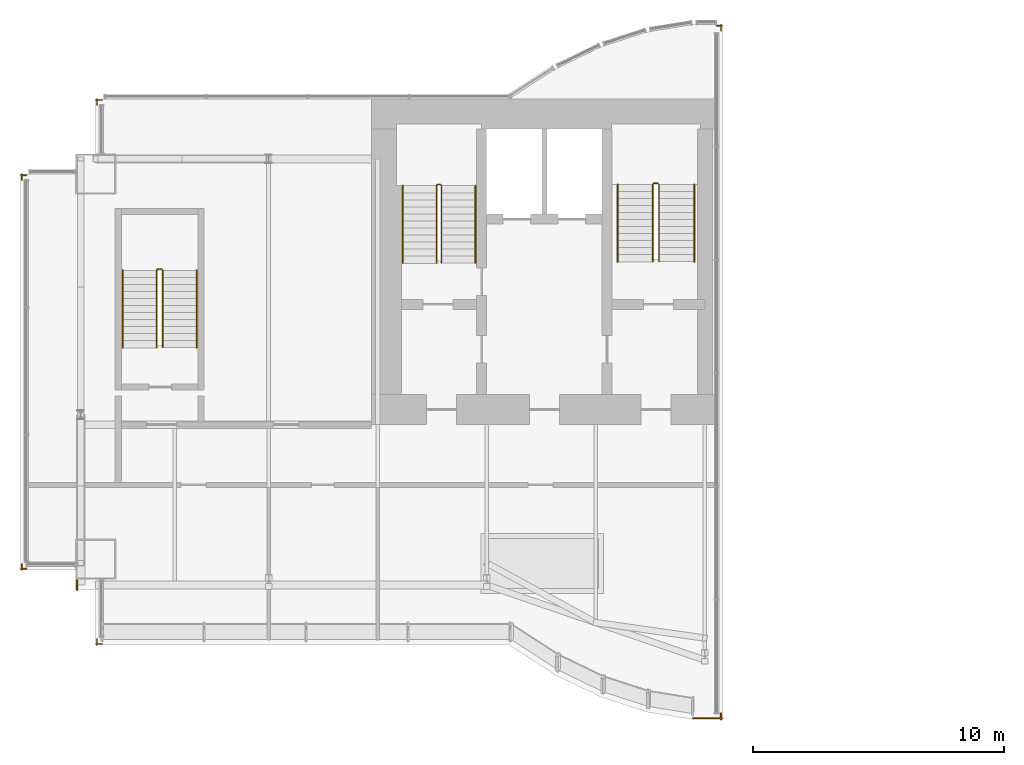
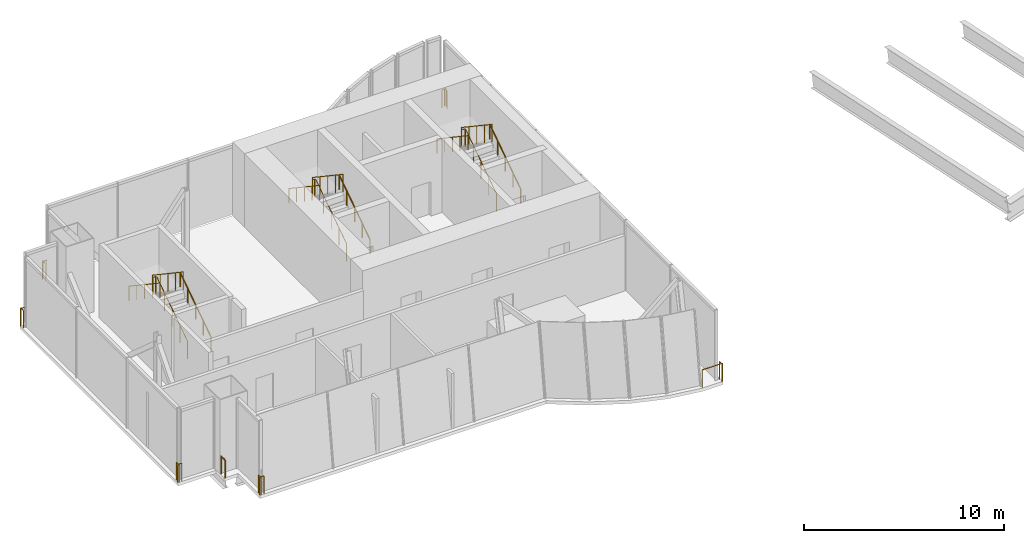
# One storey, part 6 of 7: 16 railings.
"""IFC4 building model written with IfcOpenShell, lengths in metres."""

from ifc_helpers import new_model, si_unit, direction, frame, origin, origin_2d, place, context, subcontext, project, spatial, circle, extrude, material, type_object, element, save


model = new_model("IFC4")

# Units and contexts
model_context = context("Model", 3, precision=1e-05, world=origin(), true_north=direction((0.0, 1.0)))
body_context = subcontext(model_context, "Body", "Model", "MODEL_VIEW")
ifc_project = project(units=[si_unit("LENGTHUNIT", "METRE"), si_unit("AREAUNIT", "SQUARE_METRE"), si_unit("VOLUMEUNIT", "CUBIC_METRE"), si_unit("PLANEANGLEUNIT", "RADIAN"), si_unit("MASSUNIT", "GRAM", prefix="KILO")], contexts=[model_context])

# Site, building, storey
site_placement = place(None, origin())
site = spatial("IfcSite", under=ifc_project, at=site_placement, CompositionType="ELEMENT")
building_placement = place(site_placement, origin())
building = spatial("IfcBuilding", under=site, at=building_placement, Name="Bicima Exchange Tower", CompositionType="ELEMENT")
storey_placement = place(building_placement, frame((0.0, 0.0, 361.39990234375)))
storey = spatial("IfcBuildingStorey", under=building, at=storey_placement, Name="L81", CompositionType="ELEMENT", Elevation=361.39990234375)

# Railings
ifc_material_1 = material(Name="Stainless steel and bonded safety glass", Category="steel")
railing_type_1 = type_object("IfcRailingType", Name="Edge guard 1100", PredefinedType="GUARDRAIL", material=ifc_material_1)
railing_1_placement = place(storey_placement, frame((-35.756103515625, -18.7529296875, 0.0)))
element("IfcRailing", 1, at=railing_1_placement, inside=storey, type_object=railing_type_1, Name="Edge guard L81 445", PredefinedType="GUARDRAIL", context=body_context, shape_type="SweptSolid", body=[
    extrude(circle(Radius=0.02392578125, at=origin_2d()), frame((0.0, 0.0, 1.076171875), z_axis=(-1.0, 0.0, 0.0), x_axis=(0.0, -1.0, 0.0)), (0.0, 0.0, 1.0), 0.243896484375),
    extrude(circle(Radius=0.02392578125, at=origin_2d()), frame((-0.243896484375, 0.0, 1.076171875), z_axis=(0.707106781187, -0.707106781187, 0.0), x_axis=(0.707106781187, 0.707106781187, 0.0)), (0.0, 0.0, 1.0), 0.07080078125),
    extrude(circle(Radius=0.02392578125, at=origin_2d()), frame((-0.19384765625, -0.050048828125, 1.076171875), z_axis=(0.0, 1.0, 0.0), x_axis=(-1.0, 0.0, 0.0)), (0.0, 0.0, 1.0), 0.2470703125),
    extrude(circle(Radius=0.02099609375, at=origin_2d()), origin(), (0.0, 0.0, 1.0), 1.052001953125),
    extrude(circle(Radius=0.02099609375, at=origin_2d()), frame((-0.243896484375, 0.0, 0.0)), (0.0, 0.0, 1.0), 1.052001953125),
    extrude(circle(Radius=0.02099609375, at=origin_2d()), frame((-0.19384765625, -0.050048828125, 0.0)), (0.0, 0.0, 1.0), 1.052001953125),
    extrude(circle(Radius=0.02099609375, at=origin_2d()), frame((-0.19384765625, 0.197021484375, 0.0)), (0.0, 0.0, 1.0), 1.052001953125),
])
railing_2_placement = place(storey_placement, frame((-35.949951171875, -3.2470703125, 0.0)))
element("IfcRailing", 2, at=railing_2_placement, inside=storey, type_object=railing_type_1, Name="Edge guard L81 446", PredefinedType="GUARDRAIL", context=body_context, shape_type="SweptSolid", body=[
    extrude(circle(Radius=0.02392578125, at=origin_2d()), frame((0.0, 0.0, 1.076171875), z_axis=(0.0, 1.0, 0.0), x_axis=(-1.0, 0.0, 0.0)), (0.0, 0.0, 1.0), 0.2470703125),
    extrude(circle(Radius=0.02392578125, at=origin_2d()), frame((0.0, 0.2470703125, 1.076171875), z_axis=(-0.707106781187, -0.707106781187, 0.0), x_axis=(0.707106781187, -0.707106781187, 0.0)), (0.0, 0.0, 1.0), 0.07080078125),
    extrude(circle(Radius=0.02392578125, at=origin_2d()), frame((-0.050048828125, 0.197021484375, 1.076171875), z_axis=(1.0, 0.0, 0.0), x_axis=(0.0, 1.0, 0.0)), (0.0, 0.0, 1.0), 0.243896484375),
    extrude(circle(Radius=0.02099609375, at=origin_2d()), origin(), (0.0, 0.0, 1.0), 1.052001953125),
    extrude(circle(Radius=0.02099609375, at=origin_2d()), frame((0.0, 0.2470703125, 0.0)), (0.0, 0.0, 1.0), 1.052001953125),
    extrude(circle(Radius=0.02099609375, at=origin_2d()), frame((-0.050048828125, 0.197021484375, 0.0)), (0.0, 0.0, 1.0), 1.052001953125),
    extrude(circle(Radius=0.02099609375, at=origin_2d()), frame((0.19384765625, 0.197021484375, 0.0)), (0.0, 0.0, 1.0), 1.052001953125),
])
railing_3_placement = place(storey_placement, frame((-32.949951171875, -0.243896484375, 0.0)))
element("IfcRailing", 3, at=railing_3_placement, inside=storey, type_object=railing_type_1, Name="Edge guard L81 447", PredefinedType="GUARDRAIL", context=body_context, shape_type="SweptSolid", body=[
    extrude(circle(Radius=0.02392578125, at=origin_2d()), frame((0.0, 0.0, 1.076171875), z_axis=(0.0, 1.0, 0.0), x_axis=(-1.0, 0.0, 0.0)), (0.0, 0.0, 1.0), 0.243896484375),
    extrude(circle(Radius=0.02392578125, at=origin_2d()), frame((0.0, 0.243896484375, 1.076171875), z_axis=(-0.707106781187, -0.707106781187, 0.0), x_axis=(0.707106781187, -0.707106781187, 0.0)), (0.0, 0.0, 1.0), 0.07080078125),
    extrude(circle(Radius=0.02392578125, at=origin_2d()), frame((-0.050048828125, 0.19384765625, 1.076171875), z_axis=(1.0, 0.0, 0.0), x_axis=(0.0, 1.0, 0.0)), (0.0, 0.0, 1.0), 0.25),
    extrude(circle(Radius=0.02099609375, at=origin_2d()), origin(), (0.0, 0.0, 1.0), 1.052001953125),
    extrude(circle(Radius=0.02099609375, at=origin_2d()), frame((0.0, 0.243896484375, 0.0)), (0.0, 0.0, 1.0), 1.052001953125),
    extrude(circle(Radius=0.02099609375, at=origin_2d()), frame((-0.050048828125, 0.19384765625, 0.0)), (0.0, 0.0, 1.0), 1.052001953125),
    extrude(circle(Radius=0.02099609375, at=origin_2d()), frame((0.199951171875, 0.19384765625, 0.0)), (0.0, 0.0, 1.0), 1.052001953125),
])
railing_4_placement = place(storey_placement, frame((-8.23291015625, 2.9130859375, 0.0)))
element("IfcRailing", 4, at=railing_4_placement, inside=storey, type_object=railing_type_1, Name="Edge guard L81 448", PredefinedType="GUARDRAIL", context=body_context, shape_type="SweptSolid", body=[
    extrude(circle(Radius=0.02392578125, at=origin_2d()), frame((0.0, 0.0, 1.076171875), z_axis=(1.0, 0.0, 0.0), x_axis=(0.0, 1.0, 0.0)), (0.0, 0.0, 1.0), 0.23291015625),
    extrude(circle(Radius=0.02392578125, at=origin_2d()), frame((0.23291015625, 0.0, 1.076171875), z_axis=(-0.708833529934, 0.705375805398, 0.0), x_axis=(-0.705375805398, -0.708833529934, 0.0)), (0.0, 0.0, 1.0), 0.070556640625),
    extrude(circle(Radius=0.02392578125, at=origin_2d()), frame((0.182861328125, 0.0498046875, 1.076171875), z_axis=(0.0, -1.0, 0.0), x_axis=(1.0, 0.0, 0.0)), (0.0, 0.0, 1.0), 0.25),
    extrude(circle(Radius=0.02099609375, at=origin_2d()), origin(), (0.0, 0.0, 1.0), 1.052001953125),
    extrude(circle(Radius=0.02099609375, at=origin_2d()), frame((0.23291015625, 0.0, 0.0)), (0.0, 0.0, 1.0), 1.052001953125),
    extrude(circle(Radius=0.02099609375, at=origin_2d()), frame((0.182861328125, 0.0498046875, 0.0)), (0.0, 0.0, 1.0), 1.052001953125),
    extrude(circle(Radius=0.02099609375, at=origin_2d()), frame((0.182861328125, -0.2001953125, 0.0)), (0.0, 0.0, 1.0), 1.052001953125),
])
railing_5_placement = place(storey_placement, frame((-8.050048828125, -24.51611328125, 0.0)))
element("IfcRailing", 5, at=railing_5_placement, inside=storey, type_object=railing_type_1, Name="Edge guard L81 449", PredefinedType="GUARDRAIL", context=body_context, shape_type="SweptSolid", body=[
    extrude(circle(Radius=0.02392578125, at=origin_2d()), frame((0.0, 0.0, 1.076171875), z_axis=(0.0, -1.0, 0.0), x_axis=(1.0, 0.0, 0.0)), (0.0, 0.0, 1.0), 0.25),
    extrude(circle(Radius=0.02392578125, at=origin_2d()), frame((0.0, -0.25, 1.076171875), z_axis=(0.707106781187, 0.707106781187, 0.0), x_axis=(-0.707106781187, 0.707106781187, 0.0)), (0.0, 0.0, 1.0), 0.07080078125),
    extrude(circle(Radius=0.02392578125, at=origin_2d()), frame((0.050048828125, -0.199951171875, 1.076171875), z_axis=(-1.0, 0.0, 0.0), x_axis=(0.0, -1.0, 0.0)), (0.0, 0.0, 1.0), 1.1669921875),
    extrude(circle(Radius=0.02099609375, at=origin_2d()), origin(), (0.0, 0.0, 1.0), 1.052001953125),
    extrude(circle(Radius=0.02099609375, at=origin_2d()), frame((0.0, -0.25, 0.0)), (0.0, 0.0, 1.0), 1.052001953125),
    extrude(circle(Radius=0.02099609375, at=origin_2d()), frame((0.050048828125, -0.199951171875, 0.0)), (0.0, 0.0, 1.0), 1.052001953125),
    extrude(circle(Radius=0.02099609375, at=origin_2d()), frame((-1.116943359375, -0.199951171875, 0.0)), (0.0, 0.0, 1.0), 1.052001953125),
])
railing_6_placement = place(storey_placement, frame((-32.75, -21.7529296875, 0.0)))
element("IfcRailing", 6, at=railing_6_placement, inside=storey, type_object=railing_type_1, Name="Edge guard L81 450", PredefinedType="GUARDRAIL", context=body_context, shape_type="SweptSolid", body=[
    extrude(circle(Radius=0.02392578125, at=origin_2d()), frame((0.0, 0.0, 1.076171875), z_axis=(-1.0, 0.0, 0.0), x_axis=(0.0, -1.0, 0.0)), (0.0, 0.0, 1.0), 0.25),
    extrude(circle(Radius=0.02392578125, at=origin_2d()), frame((-0.25, 0.0, 1.076171875), z_axis=(0.707106781187, -0.707106781187, 0.0), x_axis=(0.707106781187, 0.707106781187, 0.0)), (0.0, 0.0, 1.0), 0.07080078125),
    extrude(circle(Radius=0.02392578125, at=origin_2d()), frame((-0.199951171875, -0.050048828125, 1.076171875), z_axis=(0.0, 1.0, 0.0), x_axis=(-1.0, 0.0, 0.0)), (0.0, 0.0, 1.0), 0.244873046875),
    extrude(circle(Radius=0.02099609375, at=origin_2d()), origin(), (0.0, 0.0, 1.0), 1.052001953125),
    extrude(circle(Radius=0.02099609375, at=origin_2d()), frame((-0.25, 0.0, 0.0)), (0.0, 0.0, 1.0), 1.052001953125),
    extrude(circle(Radius=0.02099609375, at=origin_2d()), frame((-0.199951171875, -0.050048828125, 0.0)), (0.0, 0.0, 1.0), 1.052001953125),
    extrude(circle(Radius=0.02099609375, at=origin_2d()), frame((-0.199951171875, 0.19482421875, 0.0)), (0.0, 0.0, 1.0), 1.052001953125),
])
railing_7_placement = place(storey_placement, frame((-33.75, -19.60302734375, 0.0)))
element("IfcRailing", 7, at=railing_7_placement, inside=storey, type_object=railing_type_1, Name="Edge guard L81 451", PredefinedType="GUARDRAIL", context=body_context, shape_type="SweptSolid", body=[
    extrude(circle(Radius=0.02392578125, at=origin_2d()), frame((0.0, 0.0, 1.076171875), z_axis=(0.0, 1.0, 0.0), x_axis=(-1.0, 0.0, 0.0)), (0.0, 0.0, 1.0), 0.400146484375),
    extrude(circle(Radius=0.02099609375, at=origin_2d()), origin(), (0.0, 0.0, 1.0), 1.052001953125),
    extrude(circle(Radius=0.02099609375, at=origin_2d()), frame((0.0, 0.400146484375, 0.0)), (0.0, 0.0, 1.0), 1.052001953125),
])
ifc_material_2 = material(Name="Stainless steel", Category="steel")
railing_type_2 = type_object("IfcRailingType", Name="Stair guard 1100", PredefinedType="GUARDRAIL", material=ifc_material_2)
railing_8_placement = place(storey_placement, frame((-19.199951171875, -6.550048828125, 0.1875)))
element("IfcRailing", 8, at=railing_8_placement, inside=storey, type_object=railing_type_2, Name="L81 ST-W stair guard 1", PredefinedType="GUARDRAIL", context=body_context, shape_type="SweptSolid", body=[
    extrude(circle(Radius=0.02392578125, at=origin_2d()), frame((0.0, 0.0, 1.076171875), z_axis=(0.0, 0.830913701846, 0.55640131208), x_axis=(-1.0, 0.0, 0.0)), (0.0, 0.0, 1.0), 3.706787109375),
    extrude(circle(Radius=0.02392578125, at=origin_2d()), frame((0.0, 3.080078125, 3.138671875), z_axis=(-0.707106781187, 0.707106781187, 0.0), x_axis=(-0.707106781187, -0.707106781187, 0.0)), (0.0, 0.0, 1.0), 0.07080078125),
    extrude(circle(Radius=0.02392578125, at=origin_2d()), frame((-0.050048828125, 3.130126953125, 3.138671875), z_axis=(-1.0, 0.0, 0.0), x_axis=(0.0, -1.0, 0.0)), (0.0, 0.0, 1.0), 0.10009765625),
    extrude(circle(Radius=0.02392578125, at=origin_2d()), frame((-0.150146484375, 3.130126953125, 3.138671875), z_axis=(-0.248583702486, -0.249802250048, 0.935844527007), x_axis=(0.708833529934, -0.705375805398, 0.0)), (0.0, 0.0, 1.0), 0.200439453125),
    extrude(circle(Radius=0.02392578125, at=origin_2d()), frame((-0.199951171875, 3.080078125, 3.326171875), z_axis=(0.0, -0.830913701846, 0.55640131208), x_axis=(1.0, 0.0, 0.0)), (0.0, 0.0, 1.0), 3.706787109375),
    extrude(circle(Radius=0.02099609375, at=origin_2d()), origin(), (0.0, 0.0, 1.0), 1.052001953125),
    extrude(circle(Radius=0.02099609375, at=origin_2d()), frame((0.0, 0.77001953125, 0.515625)), (0.0, 0.0, 1.0), 1.052001953125),
    extrude(circle(Radius=0.02099609375, at=origin_2d()), frame((0.0, 1.5400390625, 1.03125)), (0.0, 0.0, 1.0), 1.052001953125),
    extrude(circle(Radius=0.02099609375, at=origin_2d()), frame((0.0, 2.31005859375, 1.546875)), (0.0, 0.0, 1.0), 1.052001953125),
    extrude(circle(Radius=0.02099609375, at=origin_2d()), frame((0.0, 3.080078125, 2.0625)), (0.0, 0.0, 1.0), 1.052001953125),
    extrude(circle(Radius=0.02099609375, at=origin_2d()), frame((-0.050048828125, 3.130126953125, 2.0625)), (0.0, 0.0, 1.0), 1.052001953125),
    extrude(circle(Radius=0.02099609375, at=origin_2d()), frame((-0.150146484375, 3.130126953125, 2.0625)), (0.0, 0.0, 1.0), 1.052001953125),
    extrude(circle(Radius=0.02099609375, at=origin_2d()), frame((-0.199951171875, 3.080078125, 2.25)), (0.0, 0.0, 1.0), 1.052001953125),
    extrude(circle(Radius=0.02099609375, at=origin_2d()), frame((-0.199951171875, 2.31005859375, 2.765625)), (0.0, 0.0, 1.0), 1.052001953125),
    extrude(circle(Radius=0.02099609375, at=origin_2d()), frame((-0.199951171875, 1.5400390625, 3.28125)), (0.0, 0.0, 1.0), 1.052001953125),
    extrude(circle(Radius=0.02099609375, at=origin_2d()), frame((-0.199951171875, 0.77001953125, 3.796875)), (0.0, 0.0, 1.0), 1.052001953125),
    extrude(circle(Radius=0.02099609375, at=origin_2d()), frame((-0.199951171875, 0.0, 4.3125)), (0.0, 0.0, 1.0), 1.052001953125),
])
railing_9_placement = place(storey_placement, frame((-10.52490234375, -6.5, 0.1875)))
element("IfcRailing", 9, at=railing_9_placement, inside=storey, type_object=railing_type_2, Name="L81 ST-CR stair guard 1", PredefinedType="GUARDRAIL", context=body_context, shape_type="SweptSolid", body=[
    extrude(circle(Radius=0.02392578125, at=origin_2d()), frame((0.0, 0.0, 1.076171875), z_axis=(0.0, 0.830913701846, 0.55640131208), x_axis=(-1.0, 0.0, 0.0)), (0.0, 0.0, 1.0), 3.706787109375),
    extrude(circle(Radius=0.02392578125, at=origin_2d()), frame((0.0, 3.080078125, 3.138671875), z_axis=(-0.708833529934, 0.705375805398, 0.0), x_axis=(-0.705375805398, -0.708833529934, 0.0)), (0.0, 0.0, 1.0), 0.070556640625),
    extrude(circle(Radius=0.02392578125, at=origin_2d()), frame((-0.050048828125, 3.1298828125, 3.138671875), z_axis=(-1.0, 0.0, 0.0), x_axis=(0.0, -1.0, 0.0)), (0.0, 0.0, 1.0), 0.150146484375),
    extrude(circle(Radius=0.02392578125, at=origin_2d()), frame((-0.2001953125, 3.1298828125, 3.138671875), z_axis=(-0.248659220195, -0.248659220195, 0.936128828968), x_axis=(0.707106781187, -0.707106781187, 0.0)), (0.0, 0.0, 1.0), 0.2001953125),
    extrude(circle(Radius=0.02392578125, at=origin_2d()), frame((-0.25, 3.080078125, 3.326171875), z_axis=(0.0, -0.830913701846, 0.55640131208), x_axis=(1.0, 0.0, 0.0)), (0.0, 0.0, 1.0), 3.706787109375),
    extrude(circle(Radius=0.02099609375, at=origin_2d()), origin(), (0.0, 0.0, 1.0), 1.052001953125),
    extrude(circle(Radius=0.02099609375, at=origin_2d()), frame((0.0, 0.77001953125, 0.515625)), (0.0, 0.0, 1.0), 1.052001953125),
    extrude(circle(Radius=0.02099609375, at=origin_2d()), frame((0.0, 1.5400390625, 1.03125)), (0.0, 0.0, 1.0), 1.052001953125),
    extrude(circle(Radius=0.02099609375, at=origin_2d()), frame((0.0, 2.31005859375, 1.546875)), (0.0, 0.0, 1.0), 1.052001953125),
    extrude(circle(Radius=0.02099609375, at=origin_2d()), frame((0.0, 3.080078125, 2.0625)), (0.0, 0.0, 1.0), 1.052001953125),
    extrude(circle(Radius=0.02099609375, at=origin_2d()), frame((-0.050048828125, 3.1298828125, 2.0625)), (0.0, 0.0, 1.0), 1.052001953125),
    extrude(circle(Radius=0.02099609375, at=origin_2d()), frame((-0.2001953125, 3.1298828125, 2.0625)), (0.0, 0.0, 1.0), 1.052001953125),
    extrude(circle(Radius=0.02099609375, at=origin_2d()), frame((-0.25, 3.080078125, 2.25)), (0.0, 0.0, 1.0), 1.052001953125),
    extrude(circle(Radius=0.02099609375, at=origin_2d()), frame((-0.25, 2.31005859375, 2.765625)), (0.0, 0.0, 1.0), 1.052001953125),
    extrude(circle(Radius=0.02099609375, at=origin_2d()), frame((-0.25, 1.5400390625, 3.28125)), (0.0, 0.0, 1.0), 1.052001953125),
    extrude(circle(Radius=0.02099609375, at=origin_2d()), frame((-0.25, 0.77001953125, 3.796875)), (0.0, 0.0, 1.0), 1.052001953125),
    extrude(circle(Radius=0.02099609375, at=origin_2d()), frame((-0.25, 0.0, 4.3125)), (0.0, 0.0, 1.0), 1.052001953125),
])
railing_10_placement = place(storey_placement, frame((-30.324951171875, -9.925048828125, 0.1875)))
element("IfcRailing", 10, at=railing_10_placement, inside=storey, type_object=railing_type_2, Name="L81 ST-WW stair guard 1", PredefinedType="GUARDRAIL", context=body_context, shape_type="SweptSolid", body=[
    extrude(circle(Radius=0.02392578125, at=origin_2d()), frame((0.0, 0.0, 1.076171875), z_axis=(0.0, 0.830913701846, 0.55640131208), x_axis=(-1.0, 0.0, 0.0)), (0.0, 0.0, 1.0), 3.706787109375),
    extrude(circle(Radius=0.02392578125, at=origin_2d()), frame((0.0, 3.080078125, 3.138671875), z_axis=(-0.707106781187, 0.707106781187, 0.0), x_axis=(-0.707106781187, -0.707106781187, 0.0)), (0.0, 0.0, 1.0), 0.07080078125),
    extrude(circle(Radius=0.02392578125, at=origin_2d()), frame((-0.050048828125, 3.130126953125, 3.138671875), z_axis=(-1.0, 0.0, 0.0), x_axis=(0.0, -1.0, 0.0)), (0.0, 0.0, 1.0), 0.14990234375),
    extrude(circle(Radius=0.02392578125, at=origin_2d()), frame((-0.199951171875, 3.130126953125, 3.138671875), z_axis=(-0.249726431254, -0.249726431254, 0.935560483917), x_axis=(0.707106781187, -0.707106781187, 0.0)), (0.0, 0.0, 1.0), 0.200439453125),
    extrude(circle(Radius=0.02392578125, at=origin_2d()), frame((-0.25, 3.080078125, 3.326171875), z_axis=(0.0, -0.830913701846, 0.55640131208), x_axis=(1.0, 0.0, 0.0)), (0.0, 0.0, 1.0), 3.706787109375),
    extrude(circle(Radius=0.02099609375, at=origin_2d()), origin(), (0.0, 0.0, 1.0), 1.052001953125),
    extrude(circle(Radius=0.02099609375, at=origin_2d()), frame((0.0, 0.77001953125, 0.515625)), (0.0, 0.0, 1.0), 1.052001953125),
    extrude(circle(Radius=0.02099609375, at=origin_2d()), frame((0.0, 1.5400390625, 1.03125)), (0.0, 0.0, 1.0), 1.052001953125),
    extrude(circle(Radius=0.02099609375, at=origin_2d()), frame((0.0, 2.31005859375, 1.546875)), (0.0, 0.0, 1.0), 1.052001953125),
    extrude(circle(Radius=0.02099609375, at=origin_2d()), frame((0.0, 3.080078125, 2.0625)), (0.0, 0.0, 1.0), 1.052001953125),
    extrude(circle(Radius=0.02099609375, at=origin_2d()), frame((-0.050048828125, 3.130126953125, 2.0625)), (0.0, 0.0, 1.0), 1.052001953125),
    extrude(circle(Radius=0.02099609375, at=origin_2d()), frame((-0.199951171875, 3.130126953125, 2.0625)), (0.0, 0.0, 1.0), 1.052001953125),
    extrude(circle(Radius=0.02099609375, at=origin_2d()), frame((-0.25, 3.080078125, 2.25)), (0.0, 0.0, 1.0), 1.052001953125),
    extrude(circle(Radius=0.02099609375, at=origin_2d()), frame((-0.25, 2.31005859375, 2.765625)), (0.0, 0.0, 1.0), 1.052001953125),
    extrude(circle(Radius=0.02099609375, at=origin_2d()), frame((-0.25, 1.5400390625, 3.28125)), (0.0, 0.0, 1.0), 1.052001953125),
    extrude(circle(Radius=0.02099609375, at=origin_2d()), frame((-0.25, 0.77001953125, 3.796875)), (0.0, 0.0, 1.0), 1.052001953125),
    extrude(circle(Radius=0.02099609375, at=origin_2d()), frame((-0.25, 0.0, 4.3125)), (0.0, 0.0, 1.0), 1.052001953125),
])
railing_type_3 = type_object("IfcRailingType", Name="Stair handrail 900", PredefinedType="HANDRAIL", material=ifc_material_2)
railing_11_placement = place(storey_placement, frame((-17.85009765625, -6.550048828125, 0.1875)))
element("IfcRailing", 11, at=railing_11_placement, inside=storey, type_object=railing_type_3, Name="L81 ST-W stair handrail 1", PredefinedType="HANDRAIL", context=body_context, shape_type="SweptSolid", body=[
    extrude(circle(Radius=0.02392578125, at=origin_2d()), frame((0.0, 0.0, 0.8759765625), z_axis=(0.0, 0.830913701846, 0.55640131208), x_axis=(-1.0, 0.0, 0.0)), (0.0, 0.0, 1.0), 3.706787109375),
    extrude(circle(Radius=0.02099609375, at=origin_2d()), origin(), (0.0, 0.0, 1.0), 0.851806640625),
    extrude(circle(Radius=0.02099609375, at=origin_2d()), frame((0.0, 0.77001953125, 0.515625)), (0.0, 0.0, 1.0), 0.851806640625),
    extrude(circle(Radius=0.02099609375, at=origin_2d()), frame((0.0, 1.5400390625, 1.03125)), (0.0, 0.0, 1.0), 0.851806640625),
    extrude(circle(Radius=0.02099609375, at=origin_2d()), frame((0.0, 2.31005859375, 1.546875)), (0.0, 0.0, 1.0), 0.851806640625),
    extrude(circle(Radius=0.02099609375, at=origin_2d()), frame((0.0, 3.080078125, 2.0625)), (0.0, 0.0, 1.0), 0.851806640625),
])
railing_12_placement = place(storey_placement, frame((-20.75, -3.469970703125, 2.4375)))
element("IfcRailing", 12, at=railing_12_placement, inside=storey, type_object=railing_type_3, Name="L81 ST-W stair handrail 2", PredefinedType="HANDRAIL", context=body_context, shape_type="SweptSolid", body=[
    extrude(circle(Radius=0.02392578125, at=origin_2d()), frame((0.0, 0.0, 0.8759765625), z_axis=(0.0, -0.830913701846, 0.55640131208), x_axis=(1.0, 0.0, 0.0)), (0.0, 0.0, 1.0), 3.706787109375),
    extrude(circle(Radius=0.02099609375, at=origin_2d()), origin(), (0.0, 0.0, 1.0), 0.851806640625),
    extrude(circle(Radius=0.02099609375, at=origin_2d()), frame((0.0, -0.77001953125, 0.515625)), (0.0, 0.0, 1.0), 0.851806640625),
    extrude(circle(Radius=0.02099609375, at=origin_2d()), frame((0.0, -1.5400390625, 1.03125)), (0.0, 0.0, 1.0), 0.851806640625),
    extrude(circle(Radius=0.02099609375, at=origin_2d()), frame((0.0, -2.31005859375, 1.546875)), (0.0, 0.0, 1.0), 0.851806640625),
    extrude(circle(Radius=0.02099609375, at=origin_2d()), frame((0.0, -3.080078125, 2.0625)), (0.0, 0.0, 1.0), 0.851806640625),
])
railing_13_placement = place(storey_placement, frame((-9.125, -6.5, 0.1875)))
element("IfcRailing", 13, at=railing_13_placement, inside=storey, type_object=railing_type_3, Name="L81 ST-CR stair handrail 1", PredefinedType="HANDRAIL", context=body_context, shape_type="SweptSolid", body=[
    extrude(circle(Radius=0.02392578125, at=origin_2d()), frame((0.0, 0.0, 0.8759765625), z_axis=(0.0, 0.830913701846, 0.55640131208), x_axis=(-1.0, 0.0, 0.0)), (0.0, 0.0, 1.0), 3.706787109375),
    extrude(circle(Radius=0.02099609375, at=origin_2d()), origin(), (0.0, 0.0, 1.0), 0.851806640625),
    extrude(circle(Radius=0.02099609375, at=origin_2d()), frame((0.0, 0.77001953125, 0.515625)), (0.0, 0.0, 1.0), 0.851806640625),
    extrude(circle(Radius=0.02099609375, at=origin_2d()), frame((0.0, 1.5400390625, 1.03125)), (0.0, 0.0, 1.0), 0.851806640625),
    extrude(circle(Radius=0.02099609375, at=origin_2d()), frame((0.0, 2.31005859375, 1.546875)), (0.0, 0.0, 1.0), 0.851806640625),
    extrude(circle(Radius=0.02099609375, at=origin_2d()), frame((0.0, 3.080078125, 2.0625)), (0.0, 0.0, 1.0), 0.851806640625),
])
railing_14_placement = place(storey_placement, frame((-12.175048828125, -3.419921875, 2.4375)))
element("IfcRailing", 14, at=railing_14_placement, inside=storey, type_object=railing_type_3, Name="L81 ST-CR stair handrail 2", PredefinedType="HANDRAIL", context=body_context, shape_type="SweptSolid", body=[
    extrude(circle(Radius=0.02392578125, at=origin_2d()), frame((0.0, 0.0, 0.8759765625), z_axis=(0.0, -0.830913701846, 0.55640131208), x_axis=(1.0, 0.0, 0.0)), (0.0, 0.0, 1.0), 3.706787109375),
    extrude(circle(Radius=0.02099609375, at=origin_2d()), origin(), (0.0, 0.0, 1.0), 0.851806640625),
    extrude(circle(Radius=0.02099609375, at=origin_2d()), frame((0.0, -0.77001953125, 0.515625)), (0.0, 0.0, 1.0), 0.851806640625),
    extrude(circle(Radius=0.02099609375, at=origin_2d()), frame((0.0, -1.5400390625, 1.03125)), (0.0, 0.0, 1.0), 0.851806640625),
    extrude(circle(Radius=0.02099609375, at=origin_2d()), frame((0.0, -2.31005859375, 1.546875)), (0.0, 0.0, 1.0), 0.851806640625),
    extrude(circle(Radius=0.02099609375, at=origin_2d()), frame((0.0, -3.080078125, 2.0625)), (0.0, 0.0, 1.0), 0.851806640625),
])
railing_15_placement = place(storey_placement, frame((-28.97509765625, -9.925048828125, 0.1875)))
element("IfcRailing", 15, at=railing_15_placement, inside=storey, type_object=railing_type_3, Name="L81 ST-WW stair handrail 1", PredefinedType="HANDRAIL", context=body_context, shape_type="SweptSolid", body=[
    extrude(circle(Radius=0.02392578125, at=origin_2d()), frame((0.0, 0.0, 0.8759765625), z_axis=(0.0, 0.830913701846, 0.55640131208), x_axis=(-1.0, 0.0, 0.0)), (0.0, 0.0, 1.0), 3.706787109375),
    extrude(circle(Radius=0.02099609375, at=origin_2d()), origin(), (0.0, 0.0, 1.0), 0.851806640625),
    extrude(circle(Radius=0.02099609375, at=origin_2d()), frame((0.0, 0.77001953125, 0.515625)), (0.0, 0.0, 1.0), 0.851806640625),
    extrude(circle(Radius=0.02099609375, at=origin_2d()), frame((0.0, 1.5400390625, 1.03125)), (0.0, 0.0, 1.0), 0.851806640625),
    extrude(circle(Radius=0.02099609375, at=origin_2d()), frame((0.0, 2.31005859375, 1.546875)), (0.0, 0.0, 1.0), 0.851806640625),
    extrude(circle(Radius=0.02099609375, at=origin_2d()), frame((0.0, 3.080078125, 2.0625)), (0.0, 0.0, 1.0), 0.851806640625),
])
railing_16_placement = place(storey_placement, frame((-31.925048828125, -6.844970703125, 2.4375)))
element("IfcRailing", 16, at=railing_16_placement, inside=storey, type_object=railing_type_3, Name="L81 ST-WW stair handrail 2", PredefinedType="HANDRAIL", context=body_context, shape_type="SweptSolid", body=[
    extrude(circle(Radius=0.02392578125, at=origin_2d()), frame((0.0, 0.0, 0.8759765625), z_axis=(0.0, -0.830913701846, 0.55640131208), x_axis=(1.0, 0.0, 0.0)), (0.0, 0.0, 1.0), 3.706787109375),
    extrude(circle(Radius=0.02099609375, at=origin_2d()), origin(), (0.0, 0.0, 1.0), 0.851806640625),
    extrude(circle(Radius=0.02099609375, at=origin_2d()), frame((0.0, -0.77001953125, 0.515625)), (0.0, 0.0, 1.0), 0.851806640625),
    extrude(circle(Radius=0.02099609375, at=origin_2d()), frame((0.0, -1.5400390625, 1.03125)), (0.0, 0.0, 1.0), 0.851806640625),
    extrude(circle(Radius=0.02099609375, at=origin_2d()), frame((0.0, -2.31005859375, 1.546875)), (0.0, 0.0, 1.0), 0.851806640625),
    extrude(circle(Radius=0.02099609375, at=origin_2d()), frame((0.0, -3.080078125, 2.0625)), (0.0, 0.0, 1.0), 0.851806640625),
])

save(model, "model.ifc")
